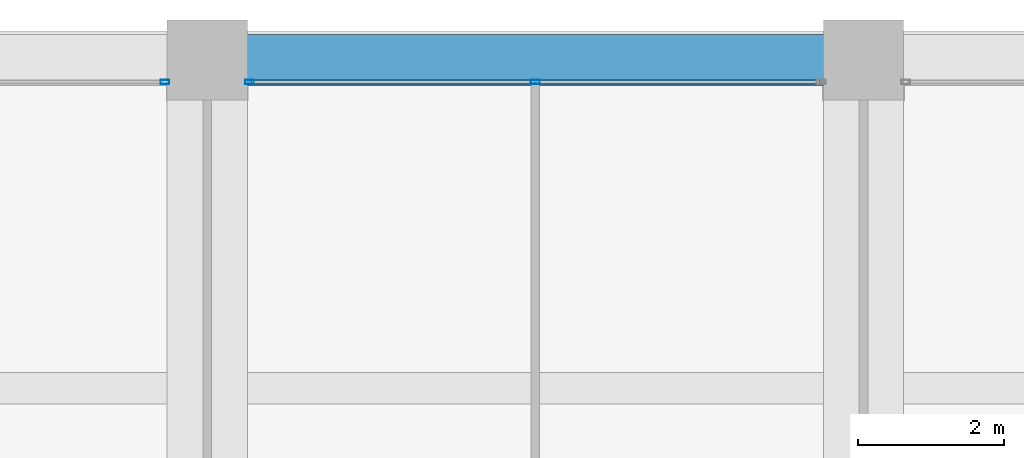
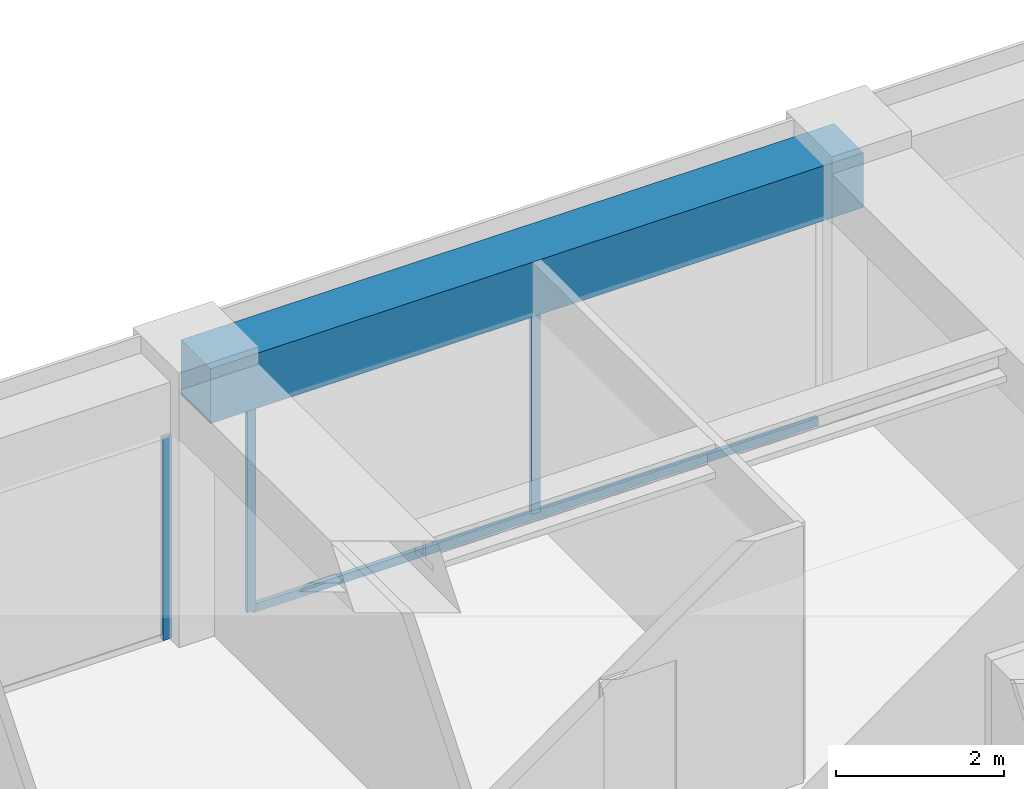
# One storey, part 33 of 44: 4 members, 1 beam, 2 elements without a shape of their own.
"""IFC4 building model written with IfcOpenShell, lengths in metres."""

import ifcopenshell
import ifcopenshell.guid

model = None  # the IFC model being written
_history = None  # IfcOwnerHistory: only IFC2X3 demands one
_inside = {}  # id of a spatial element -> (the spatial element, [elements in it])
_under = {}  # id of a project, library or spatial element -> (it, [spatial elements below it])
_declared = {}  # id of a project -> (the project, [libraries it declares])
_typed = {}  # id of a type object -> (the type object, [elements of that type])
_made_of = {}  # id of a material, layer set ... -> (it, [elements and type objects made of it])


def new_model(schema):
    """Start an empty IFC model of exactly this schema.

    Asked for "IFC4X3", IfcOpenShell would pick the latest addendum, in which some entities
    have other attributes; the version numbers below select the first issue.
    IFC2X3 requires an IfcOwnerHistory on every rooted entity: one is made here for all.
    """
    global model, _history
    if schema == "IFC4X3":
        model = ifcopenshell.file(schema_version=(4, 3, 0, 0))
    else:
        model = ifcopenshell.file(schema=schema)
    _inside.clear()
    _under.clear()
    _declared.clear()
    _typed.clear()
    _made_of.clear()
    _history = None
    if model.schema == "IFC2X3":
        org = make("IfcOrganization", Name="unknown")
        user = make(
            "IfcPersonAndOrganization",
            ThePerson=make("IfcPerson", FamilyName="unknown"),
            TheOrganization=org,
        )
        app = make(
            "IfcApplication",
            ApplicationDeveloper=org,
            Version="unknown",
            ApplicationFullName="unknown",
            ApplicationIdentifier="unknown",
        )
        _history = make(
            "IfcOwnerHistory",
            OwningUser=user,
            OwningApplication=app,
            ChangeAction="ADDED",
            CreationDate=0,
        )
    return model


def make(cls, **values):
    """One entity of the class cls with the attributes given. An attribute that is None is left unset."""
    return model.create_entity(
        cls, **{name: value for name, value in values.items() if value is not None}
    )


def rooted(cls, **values):
    """An entity with a GlobalId (a new one), such as an element, a storey or a relation."""
    return make(cls, GlobalId=ifcopenshell.guid.new(), OwnerHistory=_history, **values)


def si_unit(unit_type, name, prefix=None):
    """IfcSIUnit, for example si_unit("LENGTHUNIT", "METRE", prefix="MILLI")."""
    return make("IfcSIUnit", UnitType=unit_type, Prefix=prefix, Name=name)


def assignment(units):
    """IfcUnitAssignment: the units of a project."""
    return None if units is None else make("IfcUnitAssignment", Units=units)


def point(xyz):
    """IfcCartesianPoint."""
    return None if xyz is None else make("IfcCartesianPoint", Coordinates=xyz)


def direction(xyz):
    """IfcDirection."""
    return None if xyz is None else make("IfcDirection", DirectionRatios=xyz)


def frame(location, z_axis=None, x_axis=None):
    """IfcAxis2Placement3D, a coordinate frame: its origin and axes. An axis left out is left unset."""
    return make(
        "IfcAxis2Placement3D",
        Location=point(location),
        Axis=direction(z_axis),
        RefDirection=direction(x_axis),
    )


def frame_2d(location, x_axis=None):
    """IfcAxis2Placement2D, a coordinate frame in the plane: its origin and x axis."""
    return make(
        "IfcAxis2Placement2D", Location=point(location), RefDirection=direction(x_axis)
    )


def origin():
    """The frame at (0, 0, 0) with its axes left unset."""
    return frame((0.0, 0.0, 0.0))


def origin_2d():
    """The frame at (0, 0) in the plane with its x axis left unset."""
    return frame_2d((0.0, 0.0))


def place(relative_to, where):
    """IfcLocalPlacement: puts the frame where relative to a parent placement (None: the world)."""
    return make(
        "IfcLocalPlacement", PlacementRelTo=relative_to, RelativePlacement=where
    )


def context(
    kind, dimensions, precision=None, world=None, true_north=None, identifier=None
):
    """IfcGeometricRepresentationContext, for example the 3D "Model" context."""
    return make(
        "IfcGeometricRepresentationContext",
        ContextIdentifier=identifier,
        ContextType=kind,
        CoordinateSpaceDimension=dimensions,
        Precision=precision,
        WorldCoordinateSystem=world,
        TrueNorth=true_north,
    )


def subcontext(parent, identifier, kind, view, scale=None):
    """IfcGeometricRepresentationSubContext, for example "Body" below "Model"."""
    return make(
        "IfcGeometricRepresentationSubContext",
        ContextIdentifier=identifier,
        ContextType=kind,
        ParentContext=parent,
        TargetScale=scale,
        TargetView=view,
    )


def project(units=None, contexts=None):
    """IfcProject with its units and contexts."""
    return rooted(
        "IfcProject",
        Name="project",
        RepresentationContexts=contexts,
        UnitsInContext=assignment(units),
    )


def spatial(cls, under=None, at=None, **own):
    """A site, building, storey or space (cls), placed at a placement, below another one or the project."""
    s = rooted(cls, ObjectPlacement=at, **own)
    if under is not None:
        _under.setdefault(under.id(), (under, []))[1].append(s)
    return s


def profile(cls, at=None, kind="AREA", **sizes):
    """A parametric profile (cls). Its sizes go by their IFC names, for example OverallWidth=200.0."""
    return make(cls, ProfileType=kind, Position=at, **sizes)


def rectangle(**sizes):
    """IfcRectangleProfileDef."""
    return profile("IfcRectangleProfileDef", **sizes)


def hollow_rectangle(**sizes):
    """IfcRectangleHollowProfileDef."""
    return profile("IfcRectangleHollowProfileDef", **sizes)


def extrude(swept, where, along, depth):
    """IfcExtrudedAreaSolid: the profile swept, set in the frame where, extruded along a direction by depth."""
    return make(
        "IfcExtrudedAreaSolid",
        SweptArea=swept,
        Position=where,
        ExtrudedDirection=direction(along),
        Depth=depth,
    )


def shape(context_of_items, identifier, shape_type, items):
    """IfcShapeRepresentation: the items that make up one representation, for example the "Body"."""
    return make(
        "IfcShapeRepresentation",
        ContextOfItems=context_of_items,
        RepresentationIdentifier=identifier,
        RepresentationType=shape_type,
        Items=items,
    )


def material(Name=None, Category=None):
    """IfcMaterial."""
    return make("IfcMaterial", Name=Name, Category=Category)


def material_profile(
    of_material, cross_section, Name=None, Category=None, Priority=None
):
    """IfcMaterialProfile: a cross section and its material."""
    return make(
        "IfcMaterialProfile",
        Name=Name,
        Material=of_material,
        Profile=cross_section,
        Priority=Priority,
        Category=Category,
    )


def profile_set(profiles, Name=None, composite=None):
    """IfcMaterialProfileSet."""
    return make(
        "IfcMaterialProfileSet",
        Name=Name,
        MaterialProfiles=profiles,
        CompositeProfile=composite,
    )


def made_of(thing, what):
    """Note that an element or type object is made of a material, layer set ...; save() writes the relation."""
    if what is not None:
        _made_of.setdefault(what.id(), (what, []))[1].append(thing)
    return thing


def type_object(cls, material=None, **own):
    """A type object (cls), such as IfcWallType, which elements share."""
    return made_of(rooted(cls, **own), material)


def element(
    cls,
    number,
    at=None,
    inside=None,
    cuts=None,
    type_object=None,
    material=None,
    context=None,
    identifier="Body",
    shape_type=None,
    held_by="IfcProductDefinitionShape",
    body=None,
    shapes=None,
    **own,
):
    """One element of the class cls, such as IfcWall. Its Tag is "e" and its number.

    at: its placement. inside: the storey or other place that contains it. cuts: it is an
    opening in that element (IfcRelVoidsElement). A single representation is given by context,
    identifier, shape_type and body (its items); several are given by shapes. held_by: the class
    of the entity that holds the representations. save() writes the other relations.
    """
    e = rooted(cls, Tag="e%d" % number, ObjectPlacement=at, **own)
    if body is not None:
        shapes = [shape(context, identifier, shape_type, body)]
    if shapes is not None:
        e.Representation = make(held_by, Representations=shapes)
    if inside is not None:
        _inside.setdefault(inside.id(), (inside, []))[1].append(e)
    if cuts is not None:
        rooted(
            "IfcRelVoidsElement", RelatingBuildingElement=cuts, RelatedOpeningElement=e
        )
    if type_object is not None:
        _typed.setdefault(type_object.id(), (type_object, []))[1].append(e)
    return made_of(e, material)


def aggregate(whole, parts):
    """IfcRelAggregates: a whole, such as a stair, and the parts it consists of."""
    return rooted("IfcRelAggregates", RelatingObject=whole, RelatedObjects=parts)


def save(model, path):
    """Write the relations noted so far, then the file.

    IfcRelAggregates (storeys below a building ...), IfcRelContainedInSpatialStructure (elements
    in a storey), IfcRelDefinesByType, IfcRelAssociatesMaterial and IfcRelDeclares: one each for
    every whole, place, type object, material and project.
    """
    for whole, parts in _under.values():
        aggregate(whole, parts)
    for where, things in _inside.values():
        rooted(
            "IfcRelContainedInSpatialStructure",
            RelatedElements=things,
            RelatingStructure=where,
        )
    for kind, things in _typed.values():
        rooted("IfcRelDefinesByType", RelatedObjects=things, RelatingType=kind)
    for what, things in _made_of.values():
        rooted("IfcRelAssociatesMaterial", RelatedObjects=things, RelatingMaterial=what)
    for by, libraries in _declared.values():
        rooted("IfcRelDeclares", RelatingContext=by, RelatedDefinitions=libraries)
    model.write(path)


model = new_model("IFC4")

# Units and contexts
model_context = context("Model", 3, precision=1e-05, world=origin(), true_north=direction((0.0, 1.0)))
body_context = subcontext(model_context, "Body", "Model", "MODEL_VIEW")
ifc_project = project(units=[si_unit("LENGTHUNIT", "METRE"), si_unit("AREAUNIT", "SQUARE_METRE"), si_unit("VOLUMEUNIT", "CUBIC_METRE"), si_unit("PLANEANGLEUNIT", "RADIAN"), si_unit("MASSUNIT", "GRAM", prefix="KILO")], contexts=[model_context])

# Site, building, storey
site_placement = place(None, origin())
site = spatial("IfcSite", under=ifc_project, at=site_placement, CompositionType="ELEMENT")
building_placement = place(site_placement, origin())
building = spatial("IfcBuilding", under=site, at=building_placement, Name="Zorevar Civic Tower", CompositionType="ELEMENT")
storey_placement = place(building_placement, frame((0.0, 0.0, 251.39990234375)))
storey = spatial("IfcBuildingStorey", under=building, at=storey_placement, Name="L61", CompositionType="ELEMENT", Elevation=251.39990234375)

# Curtain wall, member
ifc_material_1 = material(Name="Dark grey solar-control glass in black aluminium frame", Category="aluminium")
curtain_wall_type = type_object("IfcCurtainWallType", Name="Curtain wall CW5 top zone", PredefinedType="NOTDEFINED", material=ifc_material_1)
curtain_wall_1_placement = place(storey_placement, origin())
curtain_wall_1 = element("IfcCurtainWall", 1, at=curtain_wall_1_placement, inside=storey, type_object=curtain_wall_type, Name="CW5 L61", PredefinedType="NOTDEFINED")
ifc_material_2 = material(Name="Aluminium, black anodised", Category="aluminium")
ifc_material_profile_1 = material_profile(ifc_material_2, hollow_rectangle(XDim=0.06005859375, YDim=0.1201171875, WallThickness=0.0029296875, at=origin_2d()), Name="AL 120x60x3")
ifc_profile_set_1 = profile_set([ifc_material_profile_1], Name="Aluminium, black anodised")
member_type_1 = type_object("IfcMemberType", Name="CW5 mullion AL 120x60x3", PredefinedType="MULLION", material=ifc_profile_set_1)
member_1_placement = place(storey_placement, frame((26.419921875, 44.699951171875, 0.0), z_axis=(0.0, 0.0, 1.0), x_axis=(0.0, 1.0, 0.0)))
member_1 = element("IfcMember", 2, at=member_1_placement, type_object=member_type_1, Name="CW5 mullion 3", PredefinedType="MULLION", context=body_context, shape_type="SweptSolid", body=[
    extrude(hollow_rectangle(XDim=0.06005859375, YDim=0.1201171875, WallThickness=0.0029296875, at=origin_2d()), origin(), (0.0, 0.0, 1.0), 2.9501953125),
])
aggregate(curtain_wall_1, [member_1])

# Curtain wall, members
curtain_wall_2_placement = place(storey_placement, origin())
curtain_wall_2 = element("IfcCurtainWall", 3, at=curtain_wall_2_placement, inside=storey, type_object=curtain_wall_type, Name="CW5 L61", PredefinedType="NOTDEFINED")
member_2_placement = place(storey_placement, frame((27.580078125, 44.699951171875, 0.0), z_axis=(0.0, 0.0, 1.0), x_axis=(0.0, 1.0, 0.0)))
member_2 = element("IfcMember", 4, at=member_2_placement, type_object=member_type_1, Name="CW5 mullion 1", PredefinedType="MULLION", context=body_context, shape_type="SweptSolid", body=[
    extrude(hollow_rectangle(XDim=0.06005859375, YDim=0.1201171875, WallThickness=0.0029296875, at=origin_2d()), origin(), (0.0, 0.0, 1.0), 2.9501953125),
])
member_3_placement = place(storey_placement, frame((31.5, 44.699951171875, 0.06005859375), z_axis=(0.0, 0.0, 1.0), x_axis=(0.0, 1.0, 0.0)))
member_3 = element("IfcMember", 5, at=member_3_placement, type_object=member_type_1, Name="CW5 mullion 2", PredefinedType="MULLION", context=body_context, shape_type="SweptSolid", body=[
    extrude(hollow_rectangle(XDim=0.06005859375, YDim=0.1201171875, WallThickness=0.0029296875, at=origin_2d()), origin(), (0.0, 0.0, 1.0), 2.89013671875),
])
ifc_material_3 = material(Name="Aluminium, black anodised", Category="aluminium")
ifc_material_profile_2 = material_profile(ifc_material_3, hollow_rectangle(XDim=0.06005859375, YDim=0.1201171875, WallThickness=0.0029296875, at=origin_2d()), Name="AL 120x60x3")
ifc_profile_set_2 = profile_set([ifc_material_profile_2], Name="Aluminium, black anodised")
member_type_2 = type_object("IfcMemberType", Name="CW5 transom AL 120x60x3", PredefinedType="USERDEFINED", material=ifc_profile_set_2)
member_4_placement = place(storey_placement, frame((27.610107421875, 44.699951171875, 0.030029296875), z_axis=(1.0, 0.0, 0.0), x_axis=(0.0, 1.0, 0.0)))
member_4 = element("IfcMember", 6, at=member_4_placement, type_object=member_type_2, Name="CW5 sill transom", ObjectType="TRANSOM", PredefinedType="USERDEFINED", context=body_context, shape_type="SweptSolid", body=[
    extrude(hollow_rectangle(XDim=0.06005859375, YDim=0.1201171875, WallThickness=0.0029296875, at=origin_2d()), origin(), (0.0, 0.0, 1.0), 7.77978515625),
])
aggregate(curtain_wall_2, [member_2, member_3, member_4])

# Beam
ifc_material_4 = material(Name="Concrete C50/60", Category="concrete")
ifc_material_profile_3 = material_profile(ifc_material_4, rectangle(XDim=0.699951171875, YDim=0.800048828125, at=origin_2d()), Name="RC 700x800")
ifc_profile_set_3 = profile_set([ifc_material_profile_3], Name="Concrete C50/60")
beam_type = type_object("IfcBeamType", Name="Edge beam RC 700x800", PredefinedType="SPANDREL", material=ifc_profile_set_3)
beam_placement = place(storey_placement, frame((27.0, 45.0, 3.35009765625), z_axis=(1.0, 0.0, 0.0), x_axis=(0.0, 1.0, 0.0)))
element("IfcBeam", 7, at=beam_placement, inside=storey, type_object=beam_type, Name="Edge beam L62", PredefinedType="SPANDREL", context=body_context, shape_type="SweptSolid", body=[
    extrude(rectangle(XDim=0.699951171875, YDim=0.800048828125, at=origin_2d()), origin(), (0.0, 0.0, 1.0), 9.0),
])

save(model, "model.ifc")
